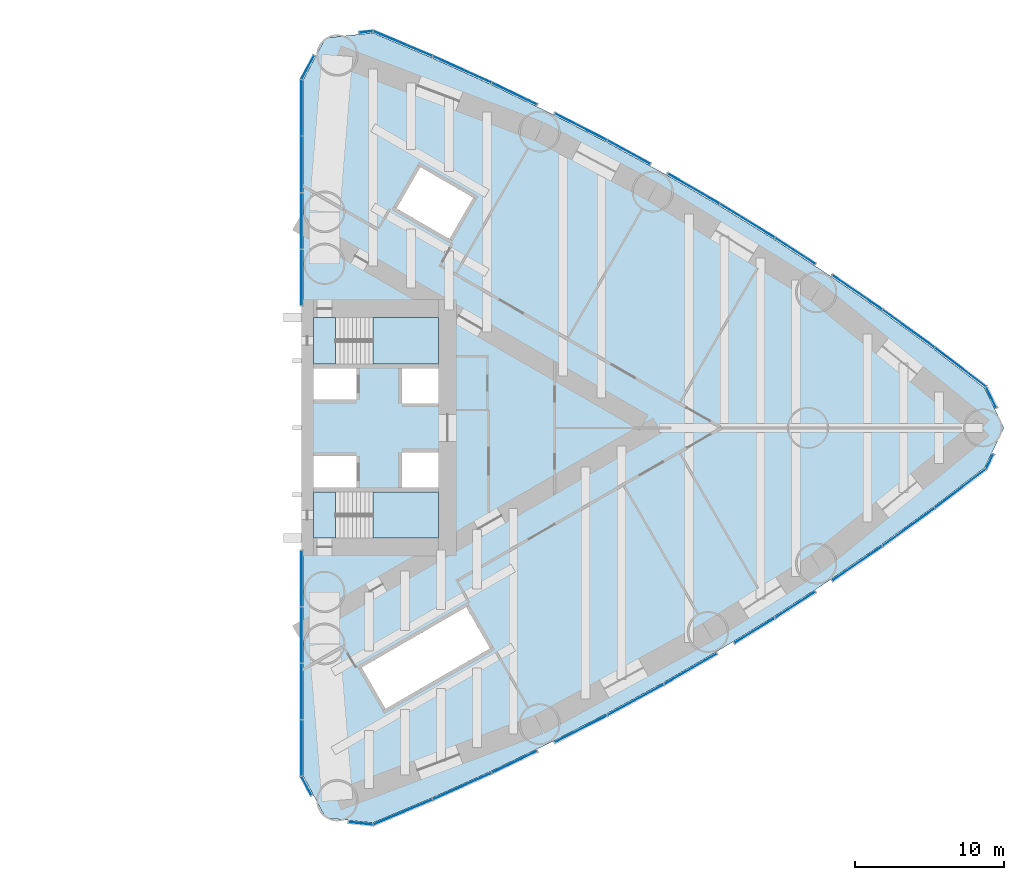
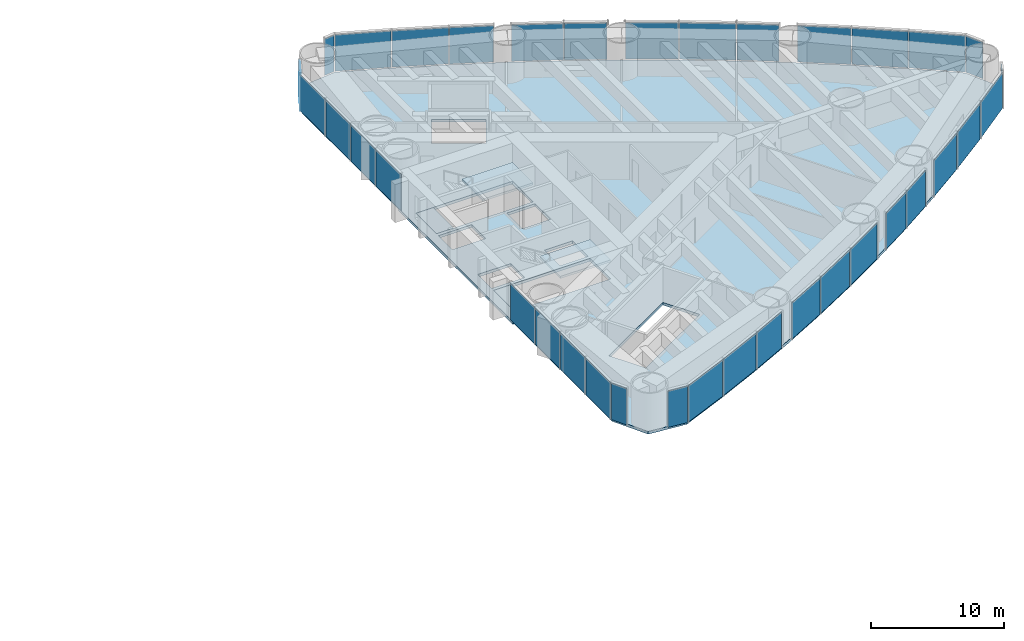
# One storey, part 14 of 20: 36 plates, 5 slabs, 12 elements without a shape of their own.
"""IFC4 building model written with IfcOpenShell, lengths in metres."""

from ifc_helpers import new_model, si_unit, direction, frame, origin, origin_2d, place, context, subcontext, project, spatial, polyline, rectangle, outline, extrude, material, layer, layer_set, type_object, element, aggregate, save


model = new_model("IFC4")

# Units and contexts
model_context = context("Model", 3, precision=1e-05, world=origin(), true_north=direction((0.0, 1.0)))
body_context = subcontext(model_context, "Body", "Model", "MODEL_VIEW")
ifc_project = project(units=[si_unit("LENGTHUNIT", "METRE"), si_unit("AREAUNIT", "SQUARE_METRE"), si_unit("VOLUMEUNIT", "CUBIC_METRE"), si_unit("PLANEANGLEUNIT", "RADIAN"), si_unit("MASSUNIT", "GRAM", prefix="KILO")], contexts=[model_context])

# Site, building, storey
site_placement = place(None, origin())
site = spatial("IfcSite", under=ifc_project, at=site_placement, CompositionType="ELEMENT")
building_placement = place(site_placement, origin())
building = spatial("IfcBuilding", under=site, at=building_placement, Name="Lancet Gate Hotel", CompositionType="ELEMENT")
storey_placement = place(building_placement, frame((0.0, 0.0, 77.5)))
storey = spatial("IfcBuildingStorey", under=building, at=storey_placement, Name="L20", CompositionType="ELEMENT", Elevation=77.5)

# Slab
ifc_material_1 = material(Name="Concrete C50/60", Category="concrete")
ifc_layer_1 = layer(ifc_material_1, 0.25)
ifc_layer_set_1 = layer_set([ifc_layer_1], Name="Floor slab 250")
slab_type_1 = type_object("IfcSlabType", Name="Floor slab 250", PredefinedType="FLOOR", material=ifc_layer_set_1)
slab_1_placement = place(storey_placement, frame((0.0, 0.0, -0.25)))
element("IfcSlab", 1, at=slab_1_placement, inside=storey, type_object=slab_type_1, Name="T2 L20 floor slab", PredefinedType="FLOOR", context=body_context, shape_type="SweptSolid", body=[
    extrude(outline(polyline([(27.5, -8.60009765625), (27.6201171875, -8.60009765625), (27.6201171875, -23.35498046875), (29.12158203125, -26.175537109375), (32.299072265625, -26.5048828125), (36.26708984375, -24.833740234375), (40.2177734375, -23.050048828125), (44.121826171875, -21.16650390625), (47.9765625, -19.18408203125), (51.77978515625, -17.104248046875), (55.528564453125, -14.92822265625), (59.220947265625, -12.657470703125), (62.854248046875, -10.29345703125), (66.42626953125, -7.837890625), (69.934814453125, -5.292236328125), (73.355712890625, -2.67431640625), (74.65576171875, 0.0), (73.355712890625, 2.67431640625), (69.934814453125, 5.292236328125), (66.42626953125, 7.837890625), (62.854248046875, 10.29345703125), (59.220947265625, 12.657470703125), (55.528564453125, 14.92822265625), (51.77978515625, 17.104248046875), (47.9765625, 19.18408203125), (44.121826171875, 21.16650390625), (40.2177734375, 23.050048828125), (36.26708984375, 24.833740234375), (32.299072265625, 26.5048828125), (29.12158203125, 26.175537109375), (27.6201171875, 23.35498046875), (27.6201171875, 8.60009765625), (27.5, 8.60009765625), (27.5, 8.199951171875), (27.5, -8.199951171875), (27.5, -8.60009765625)]), holes=[polyline([(36.699951171875, -7.39990234375), (36.699951171875, -4.300048828125), (28.300048828125, -4.300048828125), (28.300048828125, -7.39990234375), (36.699951171875, -7.39990234375)]), polyline([(28.300048828125, -4.0), (31.199951171875, -4.0), (31.199951171875, -1.89990234375), (28.300048828125, -1.89990234375), (28.300048828125, -4.0)]), polyline([(34.25, -4.0), (36.699951171875, -4.0), (36.699951171875, -1.64990234375), (34.25, -1.64990234375), (34.25, -4.0)]), polyline([(36.699951171875, 1.64990234375), (36.699951171875, 4.0), (34.25, 4.0), (34.25, 1.64990234375), (36.699951171875, 1.64990234375)]), polyline([(28.300048828125, 1.89990234375), (31.199951171875, 1.89990234375), (31.199951171875, 4.0), (28.300048828125, 4.0), (28.300048828125, 1.89990234375)]), polyline([(28.300048828125, 4.300048828125), (36.699951171875, 4.300048828125), (36.699951171875, 7.39990234375), (28.300048828125, 7.39990234375), (28.300048828125, 4.300048828125)]), polyline([(31.549072265625, -16.0810546875), (33.14892578125, -18.85205078125), (40.1640625, -14.802001953125), (38.56396484375, -12.031005859375), (31.549072265625, -16.0810546875)]), polyline([(33.887939453125, 14.73095703125), (37.43798828125, 12.680908203125), (39.0380859375, 15.451904296875), (35.488037109375, 17.501953125), (33.887939453125, 14.73095703125)])]), origin(), (0.0, 0.0, 1.0), 0.25),
])

# Stair, slabs
ifc_material_2 = material(Name="Exit stair 20 risers 1500")
stair_type = type_object("IfcStairType", Name="Exit stair 20 risers 1500", PredefinedType="HALF_TURN_STAIR", material=ifc_material_2)
stair_1_placement = place(storey_placement, origin())
stair_1 = element("IfcStair", 2, at=stair_1_placement, inside=storey, type_object=stair_type, Name="T2 stair 1 L20", PredefinedType="HALF_TURN_STAIR")
ifc_material_3 = material(Name="Concrete C40/50", Category="concrete")
ifc_layer_2 = layer(ifc_material_3, 0.199951171875)
ifc_layer_set_2 = layer_set([ifc_layer_2], Name="Stair landing 200")
slab_type_2 = type_object("IfcSlabType", Name="Stair landing 200", PredefinedType="LANDING", material=ifc_layer_set_2)
slab_2_placement = place(storey_placement, frame((0.0, 0.0, -0.199951171875)))
slab_2 = element("IfcSlab", 3, at=slab_2_placement, type_object=slab_type_2, Name="ST3 landing 1", PredefinedType="LANDING", context=body_context, shape_type="SweptSolid", body=[
    extrude(outline(polyline([(28.300048828125, -7.39990234375), (29.800048828125, -7.39990234375), (29.800048828125, -4.300048828125), (28.300048828125, -4.300048828125), (28.300048828125, -7.39990234375)])), origin(), (0.0, 0.0, 1.0), 0.199951171875),
])
slab_3_placement = place(storey_placement, frame((0.0, 0.0, 1.550048828125)))
slab_3 = element("IfcSlab", 4, at=slab_3_placement, type_object=slab_type_2, Name="ST3 landing 2", PredefinedType="LANDING", context=body_context, shape_type="SweptSolid", body=[
    extrude(outline(polyline([(32.320068359375, -7.39990234375), (36.699951171875, -7.39990234375), (36.699951171875, -4.300048828125), (32.320068359375, -4.300048828125), (32.320068359375, -7.39990234375)])), origin(), (0.0, 0.0, 1.0), 0.199951171875),
])
aggregate(stair_1, [slab_2, slab_3])

stair_2_placement = place(storey_placement, origin())
stair_2 = element("IfcStair", 5, at=stair_2_placement, inside=storey, type_object=stair_type, Name="T2 stair 2 L20", PredefinedType="HALF_TURN_STAIR")
slab_4_placement = place(storey_placement, frame((0.0, 0.0, -0.199951171875)))
slab_4 = element("IfcSlab", 6, at=slab_4_placement, type_object=slab_type_2, Name="ST4 landing 1", PredefinedType="LANDING", context=body_context, shape_type="SweptSolid", body=[
    extrude(outline(polyline([(28.300048828125, 4.300048828125), (29.800048828125, 4.300048828125), (29.800048828125, 7.39990234375), (28.300048828125, 7.39990234375), (28.300048828125, 4.300048828125)])), origin(), (0.0, 0.0, 1.0), 0.199951171875),
])
slab_5_placement = place(storey_placement, frame((0.0, 0.0, 1.550048828125)))
slab_5 = element("IfcSlab", 7, at=slab_5_placement, type_object=slab_type_2, Name="ST4 landing 2", PredefinedType="LANDING", context=body_context, shape_type="SweptSolid", body=[
    extrude(outline(polyline([(32.320068359375, 4.300048828125), (36.699951171875, 4.300048828125), (36.699951171875, 7.39990234375), (32.320068359375, 7.39990234375), (32.320068359375, 4.300048828125)])), origin(), (0.0, 0.0, 1.0), 0.199951171875),
])
aggregate(stair_2, [slab_4, slab_5])

# Curtain wall, plates
ifc_material_4 = material(Name="Aluminium curtain wall", Category="aluminium")
curtain_wall_type = type_object("IfcCurtainWallType", Name="Tower unitised curtain wall", PredefinedType="USERDEFINED", material=ifc_material_4)
curtain_wall_1_placement = place(storey_placement, origin())
curtain_wall_1 = element("IfcCurtainWall", 8, at=curtain_wall_1_placement, inside=storey, type_object=curtain_wall_type, Name="T2 L20 curtain wall 1", ObjectType="UNITISED CURTAIN WALL", PredefinedType="USERDEFINED")
ifc_material_5 = material(Name="Glass double glazed unit 8-16-6", Category="glass")
ifc_layer_3 = layer(ifc_material_5, 0.030029296875)
ifc_layer_set_3 = layer_set([ifc_layer_3], Name="Vision panel double glazed")
plate_type = type_object("IfcPlateType", Name="Vision panel double glazed", PredefinedType="CURTAIN_PANEL", material=ifc_layer_set_3)
plate_1_placement = place(storey_placement, frame((27.5, -10.09814453125, 0.0), z_axis=(0.0, 0.0, 1.0), x_axis=(0.0, -1.0, 0.0)))
plate_1 = element("IfcPlate", 9, at=plate_1_placement, type_object=plate_type, Name="T2 L20 curtain wall 1 panel 1", PredefinedType="CURTAIN_PANEL", context=body_context, shape_type="SweptSolid", body=[
    extrude(rectangle(XDim=3.731201171875, YDim=0.030029296875, at=origin_2d()), origin(), (0.0, 0.0, 1.0), 3.35009765625),
])
plate_2_placement = place(storey_placement, frame((27.5, -13.894287109375, 0.0), z_axis=(0.0, 0.0, 1.0), x_axis=(0.0, -1.0, 0.0)))
plate_2 = element("IfcPlate", 10, at=plate_2_placement, type_object=plate_type, Name="T2 L20 curtain wall 1 panel 2", PredefinedType="CURTAIN_PANEL", context=body_context, shape_type="SweptSolid", body=[
    extrude(rectangle(XDim=3.731201171875, YDim=0.030029296875, at=origin_2d()), origin(), (0.0, 0.0, 1.0), 3.35009765625),
])
plate_3_placement = place(storey_placement, frame((27.5, -17.6904296875, 0.0), z_axis=(0.0, 0.0, 1.0), x_axis=(0.0, -1.0, 0.0)))
plate_3 = element("IfcPlate", 11, at=plate_3_placement, type_object=plate_type, Name="T2 L20 curtain wall 1 panel 3", PredefinedType="CURTAIN_PANEL", context=body_context, shape_type="SweptSolid", body=[
    extrude(rectangle(XDim=3.731201171875, YDim=0.030029296875, at=origin_2d()), origin(), (0.0, 0.0, 1.0), 3.35009765625),
])
plate_4_placement = place(storey_placement, frame((27.5, -21.48681640625, 0.0), z_axis=(0.0, 0.0, 1.0), x_axis=(0.0, -1.0, 0.0)))
plate_4 = element("IfcPlate", 12, at=plate_4_placement, type_object=plate_type, Name="T2 L20 curtain wall 1 panel 4", PredefinedType="CURTAIN_PANEL", context=body_context, shape_type="SweptSolid", body=[
    extrude(rectangle(XDim=3.731201171875, YDim=0.030029296875, at=origin_2d()), origin(), (0.0, 0.0, 1.0), 3.35009765625),
])
plate_5_placement = place(storey_placement, frame((27.841796875, -24.02685546875, 0.0), z_axis=(0.0, 0.0, 1.0), x_axis=(0.469897827284, -0.882720811987, 0.0)))
plate_5 = element("IfcPlate", 13, at=plate_5_placement, type_object=plate_type, Name="T2 L20 curtain wall 1 panel 5", PredefinedType="CURTAIN_PANEL", context=body_context, shape_type="SweptSolid", body=[
    extrude(rectangle(XDim=1.389892578125, YDim=0.030029296875, at=origin_2d()), origin(), (0.0, 0.0, 1.0), 3.35009765625),
])
aggregate(curtain_wall_1, [plate_1, plate_2, plate_3, plate_4, plate_5])

curtain_wall_2_placement = place(storey_placement, origin())
curtain_wall_2 = element("IfcCurtainWall", 14, at=curtain_wall_2_placement, inside=storey, type_object=curtain_wall_type, Name="T2 L20 curtain wall 2", ObjectType="UNITISED CURTAIN WALL", PredefinedType="USERDEFINED")
plate_6_placement = place(storey_placement, frame((31.47802734375, -26.54052734375, 0.0), z_axis=(0.0, 0.0, 1.0), x_axis=(0.994672262412, -0.10308778001, 0.0)))
plate_6 = element("IfcPlate", 15, at=plate_6_placement, type_object=plate_type, Name="T2 L20 curtain wall 2 panel 1", PredefinedType="CURTAIN_PANEL", context=body_context, shape_type="SweptSolid", body=[
    extrude(rectangle(XDim=1.62255859375, YDim=0.030029296875, at=origin_2d()), origin(), (0.0, 0.0, 1.0), 3.35009765625),
])
plate_7_placement = place(storey_placement, frame((34.316162109375, -25.78564453125, 0.0), z_axis=(0.0, 0.0, 1.0), x_axis=(0.92159330598, 0.38815689917, 0.0)))
plate_7 = element("IfcPlate", 16, at=plate_7_placement, type_object=plate_type, Name="T2 L20 curtain wall 2 panel 2", PredefinedType="CURTAIN_PANEL", context=body_context, shape_type="SweptSolid", body=[
    extrude(rectangle(XDim=4.272705078125, YDim=0.030029296875, at=origin_2d()), origin(), (0.0, 0.0, 1.0), 3.35009765625),
])
plate_8_placement = place(storey_placement, frame((38.291748046875, -24.05126953125, 0.0), z_axis=(0.0, 0.0, 1.0), x_axis=(0.911415640556, 0.41148697446, 0.0)))
plate_8 = element("IfcPlate", 17, at=plate_8_placement, type_object=plate_type, Name="T2 L20 curtain wall 2 panel 3", PredefinedType="CURTAIN_PANEL", context=body_context, shape_type="SweptSolid", body=[
    extrude(rectangle(XDim=4.272705078125, YDim=0.030029296875, at=origin_2d()), origin(), (0.0, 0.0, 1.0), 3.35009765625),
])
plate_9_placement = place(storey_placement, frame((41.80029296875, -22.419677734375, 0.0), z_axis=(0.0, 0.0, 1.0), x_axis=(0.90064748964, 0.434550456686, 0.0)))
plate_9 = element("IfcPlate", 18, at=plate_9_placement, type_object=plate_type, Name="T2 L20 curtain wall 2 panel 4", PredefinedType="CURTAIN_PANEL", context=body_context, shape_type="SweptSolid", body=[
    extrude(rectangle(XDim=3.33642578125, YDim=0.030029296875, at=origin_2d()), origin(), (0.0, 0.0, 1.0), 3.35009765625),
])
aggregate(curtain_wall_2, [plate_6, plate_7, plate_8, plate_9])

curtain_wall_3_placement = place(storey_placement, origin())
curtain_wall_3 = element("IfcCurtainWall", 19, at=curtain_wall_3_placement, inside=storey, type_object=curtain_wall_type, Name="T2 L20 curtain wall 3", ObjectType="UNITISED CURTAIN WALL", PredefinedType="USERDEFINED")
plate_10_placement = place(storey_placement, frame((46.26025390625, -20.20166015625, 0.0), z_axis=(0.0, 0.0, 1.0), x_axis=(0.889295829671, 0.457332403541, 0.0)))
plate_10 = element("IfcPlate", 20, at=plate_10_placement, type_object=plate_type, Name="T2 L20 curtain wall 3 panel 1", PredefinedType="CURTAIN_PANEL", context=body_context, shape_type="SweptSolid", body=[
    extrude(rectangle(XDim=3.921630859375, YDim=0.030029296875, at=origin_2d()), origin(), (0.0, 0.0, 1.0), 3.35009765625),
])
plate_11_placement = place(storey_placement, frame((49.935791015625, -18.249267578125, 0.0), z_axis=(0.0, 0.0, 1.0), x_axis=(0.877368015134, 0.47981805512, 0.0)))
plate_11 = element("IfcPlate", 21, at=plate_11_placement, type_object=plate_type, Name="T2 L20 curtain wall 3 panel 2", PredefinedType="CURTAIN_PANEL", context=body_context, shape_type="SweptSolid", body=[
    extrude(rectangle(XDim=4.272705078125, YDim=0.030029296875, at=origin_2d()), origin(), (0.0, 0.0, 1.0), 3.35009765625),
])
plate_12_placement = place(storey_placement, frame((53.6181640625, -16.17578125, 0.0), z_axis=(0.0, 0.0, 1.0), x_axis=(0.864871773788, 0.501992843479, 0.0)))
plate_12 = element("IfcPlate", 22, at=plate_12_placement, type_object=plate_type, Name="T2 L20 curtain wall 3 panel 3", PredefinedType="CURTAIN_PANEL", context=body_context, shape_type="SweptSolid", body=[
    extrude(rectangle(XDim=4.050537109375, YDim=0.030029296875, at=origin_2d()), origin(), (0.0, 0.0, 1.0), 3.35009765625),
])
aggregate(curtain_wall_3, [plate_10, plate_11, plate_12])

curtain_wall_4_placement = place(storey_placement, origin())
curtain_wall_4 = element("IfcCurtainWall", 23, at=curtain_wall_4_placement, inside=storey, type_object=curtain_wall_type, Name="T2 L20 curtain wall 4", ObjectType="UNITISED CURTAIN WALL", PredefinedType="USERDEFINED")
plate_13_placement = place(storey_placement, frame((57.910400390625, -13.604248046875, 0.0), z_axis=(0.0, 0.0, 1.0), x_axis=(0.851815201664, 0.523842402077, 0.0)))
plate_13 = element("IfcPlate", 24, at=plate_13_placement, type_object=plate_type, Name="T2 L20 curtain wall 4 panel 1", PredefinedType="CURTAIN_PANEL", context=body_context, shape_type="SweptSolid", body=[
    extrude(rectangle(XDim=3.16259765625, YDim=0.030029296875, at=origin_2d()), origin(), (0.0, 0.0, 1.0), 3.35009765625),
])
plate_14_placement = place(storey_placement, frame((60.644775390625, -11.874267578125, 0.0), z_axis=(0.0, 0.0, 1.0), x_axis=(0.838206757819, 0.54535257508, 0.0)))
plate_14 = element("IfcPlate", 25, at=plate_14_placement, type_object=plate_type, Name="T2 L20 curtain wall 4 panel 2", PredefinedType="CURTAIN_PANEL", context=body_context, shape_type="SweptSolid", body=[
    extrude(rectangle(XDim=3.178955078125, YDim=0.030029296875, at=origin_2d()), origin(), (0.0, 0.0, 1.0), 3.35009765625),
])
aggregate(curtain_wall_4, [plate_13, plate_14])

curtain_wall_5_placement = place(storey_placement, origin())
curtain_wall_5 = element("IfcCurtainWall", 26, at=curtain_wall_5_placement, inside=storey, type_object=curtain_wall_type, Name="T2 L20 curtain wall 5", ObjectType="UNITISED CURTAIN WALL", PredefinedType="USERDEFINED")
plate_15_placement = place(storey_placement, frame((64.8046875, -9.098388671875, 0.0), z_axis=(0.0, 0.0, 1.0), x_axis=(0.824055258853, 0.566509426538, 0.0)))
plate_15 = element("IfcPlate", 27, at=plate_15_placement, type_object=plate_type, Name="T2 L20 curtain wall 5 panel 1", PredefinedType="CURTAIN_PANEL", context=body_context, shape_type="SweptSolid", body=[
    extrude(rectangle(XDim=4.038818359375, YDim=0.030029296875, at=origin_2d()), origin(), (0.0, 0.0, 1.0), 3.35009765625),
])
plate_16_placement = place(storey_placement, frame((68.2509765625, -6.662109375, 0.0), z_axis=(0.0, 0.0, 1.0), x_axis=(0.809369873203, 0.587299249405, 0.0)))
plate_16 = element("IfcPlate", 28, at=plate_16_placement, type_object=plate_type, Name="T2 L20 curtain wall 5 panel 2", PredefinedType="CURTAIN_PANEL", context=body_context, shape_type="SweptSolid", body=[
    extrude(rectangle(XDim=4.272705078125, YDim=0.030029296875, at=origin_2d()), origin(), (0.0, 0.0, 1.0), 3.35009765625),
])
plate_17_placement = place(storey_placement, frame((71.72900390625, -4.0703125, 0.0), z_axis=(0.0, 0.0, 1.0), x_axis=(0.794160115195, 0.607708574428, 0.0)))
plate_17 = element("IfcPlate", 29, at=plate_17_placement, type_object=plate_type, Name="T2 L20 curtain wall 5 panel 3", PredefinedType="CURTAIN_PANEL", context=body_context, shape_type="SweptSolid", body=[
    extrude(rectangle(XDim=4.272705078125, YDim=0.030029296875, at=origin_2d()), origin(), (0.0, 0.0, 1.0), 3.35009765625),
])
plate_18_placement = place(storey_placement, frame((73.69580078125, -2.249267578125, 0.0), z_axis=(0.0, 0.0, 1.0), x_axis=(0.437169070119, 0.899379343843, 0.0)))
plate_18 = element("IfcPlate", 30, at=plate_18_placement, type_object=plate_type, Name="T2 L20 curtain wall 5 panel 4", PredefinedType="CURTAIN_PANEL", context=body_context, shape_type="SweptSolid", body=[
    extrude(rectangle(XDim=1.0537109375, YDim=0.030029296875, at=origin_2d()), origin(), (0.0, 0.0, 1.0), 3.35009765625),
])
aggregate(curtain_wall_5, [plate_15, plate_16, plate_17, plate_18])

curtain_wall_6_placement = place(storey_placement, origin())
curtain_wall_6 = element("IfcCurtainWall", 31, at=curtain_wall_6_placement, inside=storey, type_object=curtain_wall_type, Name="T2 L20 curtain wall 6", ObjectType="UNITISED CURTAIN WALL", PredefinedType="USERDEFINED")
plate_19_placement = place(storey_placement, frame((73.79833984375, 2.038330078125, 0.0), z_axis=(0.0, 0.0, 1.0), x_axis=(-0.437169070119, 0.899379343843, 0.0)))
plate_19 = element("IfcPlate", 32, at=plate_19_placement, type_object=plate_type, Name="T2 L20 curtain wall 6 panel 1", PredefinedType="CURTAIN_PANEL", context=body_context, shape_type="SweptSolid", body=[
    extrude(rectangle(XDim=1.5224609375, YDim=0.030029296875, at=origin_2d()), origin(), (0.0, 0.0, 1.0), 3.35009765625),
])
plate_20_placement = place(storey_placement, frame((71.72900390625, 4.0703125, 0.0), z_axis=(0.0, 0.0, 1.0), x_axis=(-0.794160115195, 0.607708574428, 0.0)))
plate_20 = element("IfcPlate", 33, at=plate_20_placement, type_object=plate_type, Name="T2 L20 curtain wall 6 panel 2", PredefinedType="CURTAIN_PANEL", context=body_context, shape_type="SweptSolid", body=[
    extrude(rectangle(XDim=4.272705078125, YDim=0.030029296875, at=origin_2d()), origin(), (0.0, 0.0, 1.0), 3.35009765625),
])
plate_21_placement = place(storey_placement, frame((68.2509765625, 6.662109375, 0.0), z_axis=(0.0, 0.0, 1.0), x_axis=(-0.809369873203, 0.587299249405, 0.0)))
plate_21 = element("IfcPlate", 34, at=plate_21_placement, type_object=plate_type, Name="T2 L20 curtain wall 6 panel 3", PredefinedType="CURTAIN_PANEL", context=body_context, shape_type="SweptSolid", body=[
    extrude(rectangle(XDim=4.272705078125, YDim=0.030029296875, at=origin_2d()), origin(), (0.0, 0.0, 1.0), 3.35009765625),
])
plate_22_placement = place(storey_placement, frame((64.8046875, 9.098388671875, 0.0), z_axis=(0.0, 0.0, 1.0), x_axis=(-0.824055258853, 0.566509426538, 0.0)))
plate_22 = element("IfcPlate", 35, at=plate_22_placement, type_object=plate_type, Name="T2 L20 curtain wall 6 panel 4", PredefinedType="CURTAIN_PANEL", context=body_context, shape_type="SweptSolid", body=[
    extrude(rectangle(XDim=4.038818359375, YDim=0.030029296875, at=origin_2d()), origin(), (0.0, 0.0, 1.0), 3.35009765625),
])
aggregate(curtain_wall_6, [plate_19, plate_20, plate_21, plate_22])

curtain_wall_7_placement = place(storey_placement, origin())
curtain_wall_7 = element("IfcCurtainWall", 36, at=curtain_wall_7_placement, inside=storey, type_object=curtain_wall_type, Name="T2 L20 curtain wall 7", ObjectType="UNITISED CURTAIN WALL", PredefinedType="USERDEFINED")
plate_23_placement = place(storey_placement, frame((60.644775390625, 11.874267578125, 0.0), z_axis=(0.0, 0.0, 1.0), x_axis=(-0.838206757819, 0.54535257508, 0.0)))
plate_23 = element("IfcPlate", 37, at=plate_23_placement, type_object=plate_type, Name="T2 L20 curtain wall 7 panel 1", PredefinedType="CURTAIN_PANEL", context=body_context, shape_type="SweptSolid", body=[
    extrude(rectangle(XDim=3.178955078125, YDim=0.030029296875, at=origin_2d()), origin(), (0.0, 0.0, 1.0), 3.35009765625),
])
plate_24_placement = place(storey_placement, frame((57.437744140625, 13.89501953125, 0.0), z_axis=(0.0, 0.0, 1.0), x_axis=(-0.851815201664, 0.523842402077, 0.0)))
plate_24 = element("IfcPlate", 38, at=plate_24_placement, type_object=plate_type, Name="T2 L20 curtain wall 7 panel 2", PredefinedType="CURTAIN_PANEL", context=body_context, shape_type="SweptSolid", body=[
    extrude(rectangle(XDim=4.272705078125, YDim=0.030029296875, at=origin_2d()), origin(), (0.0, 0.0, 1.0), 3.35009765625),
])
plate_25_placement = place(storey_placement, frame((53.833740234375, 16.050537109375, 0.0), z_axis=(0.0, 0.0, 1.0), x_axis=(-0.864871773788, 0.501992843479, 0.0)))
plate_25 = element("IfcPlate", 39, at=plate_25_placement, type_object=plate_type, Name="T2 L20 curtain wall 7 panel 3", PredefinedType="CURTAIN_PANEL", context=body_context, shape_type="SweptSolid", body=[
    extrude(rectangle(XDim=3.99658203125, YDim=0.030029296875, at=origin_2d()), origin(), (0.0, 0.0, 1.0), 3.35009765625),
])
aggregate(curtain_wall_7, [plate_23, plate_24, plate_25])

curtain_wall_8_placement = place(storey_placement, origin())
curtain_wall_8 = element("IfcCurtainWall", 40, at=curtain_wall_8_placement, inside=storey, type_object=curtain_wall_type, Name="T2 L20 curtain wall 8", ObjectType="UNITISED CURTAIN WALL", PredefinedType="USERDEFINED")
plate_26_placement = place(storey_placement, frame((49.4814453125, 18.497802734375, 0.0), z_axis=(0.0, 0.0, 1.0), x_axis=(-0.877368015134, 0.47981805512, 0.0)))
plate_26 = element("IfcPlate", 41, at=plate_26_placement, type_object=plate_type, Name="T2 L20 curtain wall 8 panel 1", PredefinedType="CURTAIN_PANEL", context=body_context, shape_type="SweptSolid", body=[
    extrude(rectangle(XDim=3.237060546875, YDim=0.030029296875, at=origin_2d()), origin(), (0.0, 0.0, 1.0), 3.35009765625),
])
plate_27_placement = place(storey_placement, frame((46.26025390625, 20.20166015625, 0.0), z_axis=(0.0, 0.0, 1.0), x_axis=(-0.889295829671, 0.457332403541, 0.0)))
plate_27 = element("IfcPlate", 42, at=plate_27_placement, type_object=plate_type, Name="T2 L20 curtain wall 8 panel 2", PredefinedType="CURTAIN_PANEL", context=body_context, shape_type="SweptSolid", body=[
    extrude(rectangle(XDim=3.921630859375, YDim=0.030029296875, at=origin_2d()), origin(), (0.0, 0.0, 1.0), 3.35009765625),
])
aggregate(curtain_wall_8, [plate_26, plate_27])

curtain_wall_9_placement = place(storey_placement, origin())
curtain_wall_9 = element("IfcCurtainWall", 43, at=curtain_wall_9_placement, inside=storey, type_object=curtain_wall_type, Name="T2 L20 curtain wall 9", ObjectType="UNITISED CURTAIN WALL", PredefinedType="USERDEFINED")
plate_28_placement = place(storey_placement, frame((41.80029296875, 22.419677734375, 0.0), z_axis=(0.0, 0.0, 1.0), x_axis=(-0.90064748964, 0.434550456686, 0.0)))
plate_28 = element("IfcPlate", 44, at=plate_28_placement, type_object=plate_type, Name="T2 L20 curtain wall 9 panel 1", PredefinedType="CURTAIN_PANEL", context=body_context, shape_type="SweptSolid", body=[
    extrude(rectangle(XDim=3.33642578125, YDim=0.030029296875, at=origin_2d()), origin(), (0.0, 0.0, 1.0), 3.35009765625),
])
plate_29_placement = place(storey_placement, frame((38.291748046875, 24.05126953125, 0.0), z_axis=(0.0, 0.0, 1.0), x_axis=(-0.911415640556, 0.41148697446, 0.0)))
plate_29 = element("IfcPlate", 45, at=plate_29_placement, type_object=plate_type, Name="T2 L20 curtain wall 9 panel 2", PredefinedType="CURTAIN_PANEL", context=body_context, shape_type="SweptSolid", body=[
    extrude(rectangle(XDim=4.272705078125, YDim=0.030029296875, at=origin_2d()), origin(), (0.0, 0.0, 1.0), 3.35009765625),
])
plate_30_placement = place(storey_placement, frame((34.316162109375, 25.78564453125, 0.0), z_axis=(0.0, 0.0, 1.0), x_axis=(-0.92159330598, 0.38815689917, 0.0)))
plate_30 = element("IfcPlate", 46, at=plate_30_placement, type_object=plate_type, Name="T2 L20 curtain wall 9 panel 3", PredefinedType="CURTAIN_PANEL", context=body_context, shape_type="SweptSolid", body=[
    extrude(rectangle(XDim=4.272705078125, YDim=0.030029296875, at=origin_2d()), origin(), (0.0, 0.0, 1.0), 3.35009765625),
])
plate_31_placement = place(storey_placement, frame((31.8388671875, 26.577880859375, 0.0), z_axis=(0.0, 0.0, 1.0), x_axis=(-0.994672262412, -0.10308778001, 0.0)))
plate_31 = element("IfcPlate", 47, at=plate_31_placement, type_object=plate_type, Name="T2 L20 curtain wall 9 panel 4", PredefinedType="CURTAIN_PANEL", context=body_context, shape_type="SweptSolid", body=[
    extrude(rectangle(XDim=0.89697265625, YDim=0.030029296875, at=origin_2d()), origin(), (0.0, 0.0, 1.0), 3.35009765625),
])
aggregate(curtain_wall_9, [plate_28, plate_29, plate_30, plate_31])

curtain_wall_10_placement = place(storey_placement, origin())
curtain_wall_10 = element("IfcCurtainWall", 48, at=curtain_wall_10_placement, inside=storey, type_object=curtain_wall_type, Name="T2 L20 curtain wall 10", ObjectType="UNITISED CURTAIN WALL", PredefinedType="USERDEFINED")
plate_32_placement = place(storey_placement, frame((27.9326171875, 24.197509765625, 0.0), z_axis=(0.0, 0.0, 1.0), x_axis=(-0.469897827284, -0.882720811987, 0.0)))
plate_32 = element("IfcPlate", 49, at=plate_32_placement, type_object=plate_type, Name="T2 L20 curtain wall 10 panel 1", PredefinedType="CURTAIN_PANEL", context=body_context, shape_type="SweptSolid", body=[
    extrude(rectangle(XDim=1.7763671875, YDim=0.030029296875, at=origin_2d()), origin(), (0.0, 0.0, 1.0), 3.35009765625),
])
plate_33_placement = place(storey_placement, frame((27.5, 21.48681640625, 0.0), z_axis=(0.0, 0.0, 1.0), x_axis=(0.0, -1.0, 0.0)))
plate_33 = element("IfcPlate", 50, at=plate_33_placement, type_object=plate_type, Name="T2 L20 curtain wall 10 panel 2", PredefinedType="CURTAIN_PANEL", context=body_context, shape_type="SweptSolid", body=[
    extrude(rectangle(XDim=3.731201171875, YDim=0.030029296875, at=origin_2d()), origin(), (0.0, 0.0, 1.0), 3.35009765625),
])
plate_34_placement = place(storey_placement, frame((27.5, 17.6904296875, 0.0), z_axis=(0.0, 0.0, 1.0), x_axis=(0.0, -1.0, 0.0)))
plate_34 = element("IfcPlate", 51, at=plate_34_placement, type_object=plate_type, Name="T2 L20 curtain wall 10 panel 3", PredefinedType="CURTAIN_PANEL", context=body_context, shape_type="SweptSolid", body=[
    extrude(rectangle(XDim=3.731201171875, YDim=0.030029296875, at=origin_2d()), origin(), (0.0, 0.0, 1.0), 3.35009765625),
])
plate_35_placement = place(storey_placement, frame((27.5, 13.894287109375, 0.0), z_axis=(0.0, 0.0, 1.0), x_axis=(0.0, -1.0, 0.0)))
plate_35 = element("IfcPlate", 52, at=plate_35_placement, type_object=plate_type, Name="T2 L20 curtain wall 10 panel 4", PredefinedType="CURTAIN_PANEL", context=body_context, shape_type="SweptSolid", body=[
    extrude(rectangle(XDim=3.731201171875, YDim=0.030029296875, at=origin_2d()), origin(), (0.0, 0.0, 1.0), 3.35009765625),
])
plate_36_placement = place(storey_placement, frame((27.5, 10.09814453125, 0.0), z_axis=(0.0, 0.0, 1.0), x_axis=(0.0, -1.0, 0.0)))
plate_36 = element("IfcPlate", 53, at=plate_36_placement, type_object=plate_type, Name="T2 L20 curtain wall 10 panel 5", PredefinedType="CURTAIN_PANEL", context=body_context, shape_type="SweptSolid", body=[
    extrude(rectangle(XDim=3.731201171875, YDim=0.030029296875, at=origin_2d()), origin(), (0.0, 0.0, 1.0), 3.35009765625),
])
aggregate(curtain_wall_10, [plate_32, plate_33, plate_34, plate_35, plate_36])

save(model, "model.ifc")
